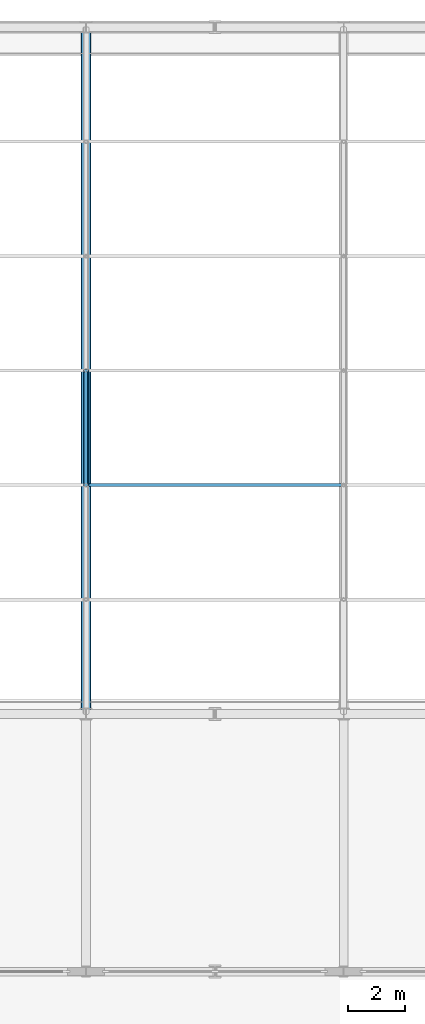
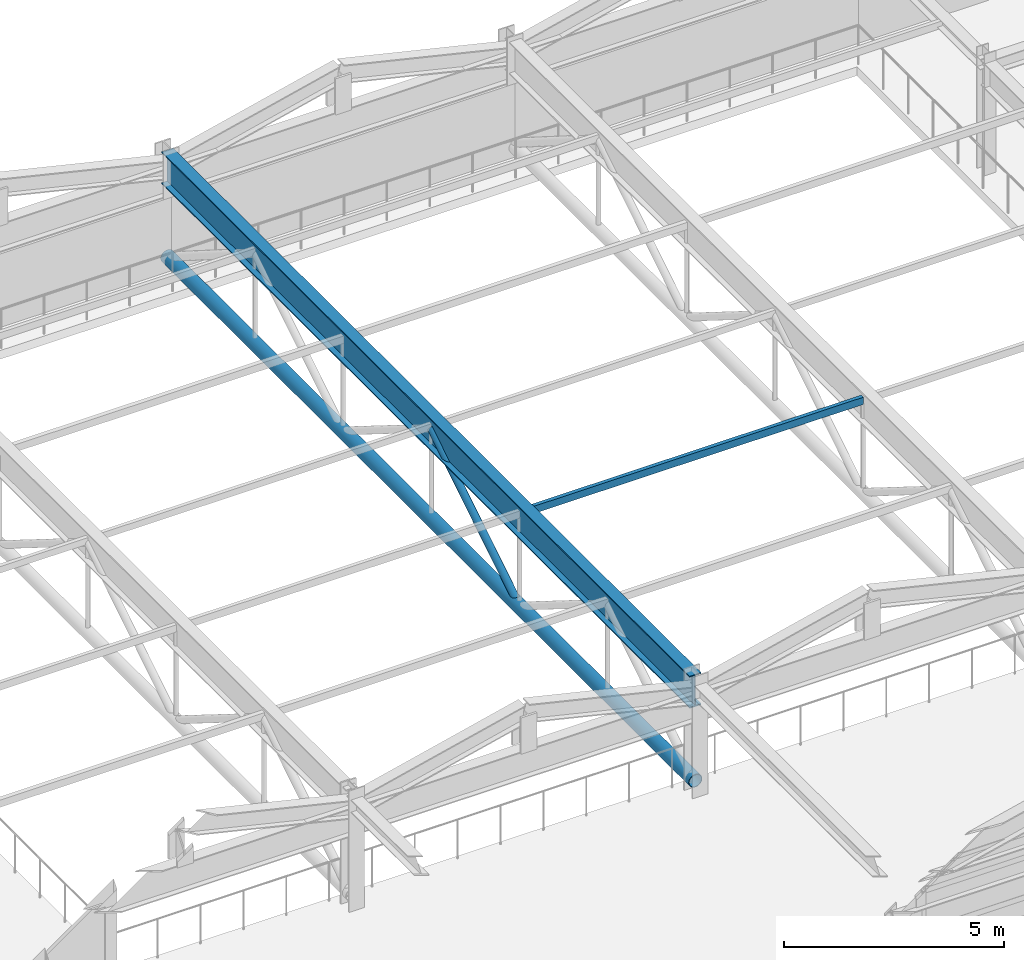
# One storey, part 33 of 91: 3 members, 1 beam.
"""IFC4 building model written with IfcOpenShell, lengths in metres."""

import ifcopenshell
import ifcopenshell.guid

model = None  # the IFC model being written
_history = None  # IfcOwnerHistory: only IFC2X3 demands one
_inside = {}  # id of a spatial element -> (the spatial element, [elements in it])
_under = {}  # id of a project, library or spatial element -> (it, [spatial elements below it])
_declared = {}  # id of a project -> (the project, [libraries it declares])
_typed = {}  # id of a type object -> (the type object, [elements of that type])
_made_of = {}  # id of a material, layer set ... -> (it, [elements and type objects made of it])


def new_model(schema):
    """Start an empty IFC model of exactly this schema.

    Asked for "IFC4X3", IfcOpenShell would pick the latest addendum, in which some entities
    have other attributes; the version numbers below select the first issue.
    IFC2X3 requires an IfcOwnerHistory on every rooted entity: one is made here for all.
    """
    global model, _history
    if schema == "IFC4X3":
        model = ifcopenshell.file(schema_version=(4, 3, 0, 0))
    else:
        model = ifcopenshell.file(schema=schema)
    _inside.clear()
    _under.clear()
    _declared.clear()
    _typed.clear()
    _made_of.clear()
    _history = None
    if model.schema == "IFC2X3":
        org = make("IfcOrganization", Name="unknown")
        user = make(
            "IfcPersonAndOrganization",
            ThePerson=make("IfcPerson", FamilyName="unknown"),
            TheOrganization=org,
        )
        app = make(
            "IfcApplication",
            ApplicationDeveloper=org,
            Version="unknown",
            ApplicationFullName="unknown",
            ApplicationIdentifier="unknown",
        )
        _history = make(
            "IfcOwnerHistory",
            OwningUser=user,
            OwningApplication=app,
            ChangeAction="ADDED",
            CreationDate=0,
        )
    return model


def make(cls, **values):
    """One entity of the class cls with the attributes given. An attribute that is None is left unset."""
    return model.create_entity(
        cls, **{name: value for name, value in values.items() if value is not None}
    )


def rooted(cls, **values):
    """An entity with a GlobalId (a new one), such as an element, a storey or a relation."""
    return make(cls, GlobalId=ifcopenshell.guid.new(), OwnerHistory=_history, **values)


def si_unit(unit_type, name, prefix=None):
    """IfcSIUnit, for example si_unit("LENGTHUNIT", "METRE", prefix="MILLI")."""
    return make("IfcSIUnit", UnitType=unit_type, Prefix=prefix, Name=name)


def assignment(units):
    """IfcUnitAssignment: the units of a project."""
    return None if units is None else make("IfcUnitAssignment", Units=units)


def point(xyz):
    """IfcCartesianPoint."""
    return None if xyz is None else make("IfcCartesianPoint", Coordinates=xyz)


def direction(xyz):
    """IfcDirection."""
    return None if xyz is None else make("IfcDirection", DirectionRatios=xyz)


def frame(location, z_axis=None, x_axis=None):
    """IfcAxis2Placement3D, a coordinate frame: its origin and axes. An axis left out is left unset."""
    return make(
        "IfcAxis2Placement3D",
        Location=point(location),
        Axis=direction(z_axis),
        RefDirection=direction(x_axis),
    )


def frame_2d(location, x_axis=None):
    """IfcAxis2Placement2D, a coordinate frame in the plane: its origin and x axis."""
    return make(
        "IfcAxis2Placement2D", Location=point(location), RefDirection=direction(x_axis)
    )


def origin():
    """The frame at (0, 0, 0) with its axes left unset."""
    return frame((0.0, 0.0, 0.0))


def origin_2d():
    """The frame at (0, 0) in the plane with its x axis left unset."""
    return frame_2d((0.0, 0.0))


def place(relative_to, where):
    """IfcLocalPlacement: puts the frame where relative to a parent placement (None: the world)."""
    return make(
        "IfcLocalPlacement", PlacementRelTo=relative_to, RelativePlacement=where
    )


def context(
    kind, dimensions, precision=None, world=None, true_north=None, identifier=None
):
    """IfcGeometricRepresentationContext, for example the 3D "Model" context."""
    return make(
        "IfcGeometricRepresentationContext",
        ContextIdentifier=identifier,
        ContextType=kind,
        CoordinateSpaceDimension=dimensions,
        Precision=precision,
        WorldCoordinateSystem=world,
        TrueNorth=true_north,
    )


def subcontext(parent, identifier, kind, view, scale=None):
    """IfcGeometricRepresentationSubContext, for example "Body" below "Model"."""
    return make(
        "IfcGeometricRepresentationSubContext",
        ContextIdentifier=identifier,
        ContextType=kind,
        ParentContext=parent,
        TargetScale=scale,
        TargetView=view,
    )


def project(units=None, contexts=None):
    """IfcProject with its units and contexts."""
    return rooted(
        "IfcProject",
        Name="project",
        RepresentationContexts=contexts,
        UnitsInContext=assignment(units),
    )


def spatial(cls, under=None, at=None, **own):
    """A site, building, storey or space (cls), placed at a placement, below another one or the project."""
    s = rooted(cls, ObjectPlacement=at, **own)
    if under is not None:
        _under.setdefault(under.id(), (under, []))[1].append(s)
    return s


def profile(cls, at=None, kind="AREA", **sizes):
    """A parametric profile (cls). Its sizes go by their IFC names, for example OverallWidth=200.0."""
    return make(cls, ProfileType=kind, Position=at, **sizes)


def hollow_rectangle(**sizes):
    """IfcRectangleHollowProfileDef."""
    return profile("IfcRectangleHollowProfileDef", **sizes)


def hollow_circle(**sizes):
    """IfcCircleHollowProfileDef."""
    return profile("IfcCircleHollowProfileDef", **sizes)


def i_section(**sizes):
    """IfcIShapeProfileDef."""
    return profile("IfcIShapeProfileDef", **sizes)


def extrude(swept, where, along, depth):
    """IfcExtrudedAreaSolid: the profile swept, set in the frame where, extruded along a direction by depth."""
    return make(
        "IfcExtrudedAreaSolid",
        SweptArea=swept,
        Position=where,
        ExtrudedDirection=direction(along),
        Depth=depth,
    )


def shape(context_of_items, identifier, shape_type, items):
    """IfcShapeRepresentation: the items that make up one representation, for example the "Body"."""
    return make(
        "IfcShapeRepresentation",
        ContextOfItems=context_of_items,
        RepresentationIdentifier=identifier,
        RepresentationType=shape_type,
        Items=items,
    )


def material(Name=None, Category=None):
    """IfcMaterial."""
    return make("IfcMaterial", Name=Name, Category=Category)


def material_profile(
    of_material, cross_section, Name=None, Category=None, Priority=None
):
    """IfcMaterialProfile: a cross section and its material."""
    return make(
        "IfcMaterialProfile",
        Name=Name,
        Material=of_material,
        Profile=cross_section,
        Priority=Priority,
        Category=Category,
    )


def profile_set(profiles, Name=None, composite=None):
    """IfcMaterialProfileSet."""
    return make(
        "IfcMaterialProfileSet",
        Name=Name,
        MaterialProfiles=profiles,
        CompositeProfile=composite,
    )


def made_of(thing, what):
    """Note that an element or type object is made of a material, layer set ...; save() writes the relation."""
    if what is not None:
        _made_of.setdefault(what.id(), (what, []))[1].append(thing)
    return thing


def type_object(cls, material=None, **own):
    """A type object (cls), such as IfcWallType, which elements share."""
    return made_of(rooted(cls, **own), material)


def element(
    cls,
    number,
    at=None,
    inside=None,
    cuts=None,
    type_object=None,
    material=None,
    context=None,
    identifier="Body",
    shape_type=None,
    held_by="IfcProductDefinitionShape",
    body=None,
    shapes=None,
    **own,
):
    """One element of the class cls, such as IfcWall. Its Tag is "e" and its number.

    at: its placement. inside: the storey or other place that contains it. cuts: it is an
    opening in that element (IfcRelVoidsElement). A single representation is given by context,
    identifier, shape_type and body (its items); several are given by shapes. held_by: the class
    of the entity that holds the representations. save() writes the other relations.
    """
    e = rooted(cls, Tag="e%d" % number, ObjectPlacement=at, **own)
    if body is not None:
        shapes = [shape(context, identifier, shape_type, body)]
    if shapes is not None:
        e.Representation = make(held_by, Representations=shapes)
    if inside is not None:
        _inside.setdefault(inside.id(), (inside, []))[1].append(e)
    if cuts is not None:
        rooted(
            "IfcRelVoidsElement", RelatingBuildingElement=cuts, RelatedOpeningElement=e
        )
    if type_object is not None:
        _typed.setdefault(type_object.id(), (type_object, []))[1].append(e)
    return made_of(e, material)


def aggregate(whole, parts):
    """IfcRelAggregates: a whole, such as a stair, and the parts it consists of."""
    return rooted("IfcRelAggregates", RelatingObject=whole, RelatedObjects=parts)


def save(model, path):
    """Write the relations noted so far, then the file.

    IfcRelAggregates (storeys below a building ...), IfcRelContainedInSpatialStructure (elements
    in a storey), IfcRelDefinesByType, IfcRelAssociatesMaterial and IfcRelDeclares: one each for
    every whole, place, type object, material and project.
    """
    for whole, parts in _under.values():
        aggregate(whole, parts)
    for where, things in _inside.values():
        rooted(
            "IfcRelContainedInSpatialStructure",
            RelatedElements=things,
            RelatingStructure=where,
        )
    for kind, things in _typed.values():
        rooted("IfcRelDefinesByType", RelatedObjects=things, RelatingType=kind)
    for what, things in _made_of.values():
        rooted("IfcRelAssociatesMaterial", RelatedObjects=things, RelatingMaterial=what)
    for by, libraries in _declared.values():
        rooted("IfcRelDeclares", RelatingContext=by, RelatedDefinitions=libraries)
    model.write(path)


model = new_model("IFC4")

# Units and contexts
model_context = context("Model", 3, precision=1e-05, world=origin(), true_north=direction((0.0, 1.0)))
body_context = subcontext(model_context, "Body", "Model", "MODEL_VIEW")
ifc_project = project(units=[si_unit("LENGTHUNIT", "METRE"), si_unit("AREAUNIT", "SQUARE_METRE"), si_unit("VOLUMEUNIT", "CUBIC_METRE"), si_unit("PLANEANGLEUNIT", "RADIAN"), si_unit("MASSUNIT", "GRAM", prefix="KILO")], contexts=[model_context])

# Site, building, storey
site_placement = place(None, origin())
site = spatial("IfcSite", under=ifc_project, at=site_placement, CompositionType="ELEMENT")
building_placement = place(site_placement, origin())
building = spatial("IfcBuilding", under=site, at=building_placement, Name="Palais des Congres Ocreval", CompositionType="ELEMENT")
storey_placement = place(building_placement, frame((0.0, 0.0, 8.159912109375)))
storey = spatial("IfcBuildingStorey", under=building, at=storey_placement, Name="L02", CompositionType="ELEMENT", Elevation=8.159912109375)

# Member
ifc_material = material(Name="Steel S355", Category="steel")
ifc_material_profile_1 = material_profile(ifc_material, hollow_circle(Radius=0.096923828125, WallThickness=0.010009765625, at=origin_2d()), Name="CHS 193.7x10")
ifc_profile_set_1 = profile_set([ifc_material_profile_1], Name="Steel S355")
member_type_1 = type_object("IfcMemberType", Name="Diagonal Brace CHS 193.7x10 Steel S355", PredefinedType="BRACE", material=ifc_profile_set_1)
member_1_placement = place(storey_placement, frame((27.0, 98.0, 0.2900390625), z_axis=(0.0, 0.847998304005, 0.529998940003), x_axis=(-1.0, 0.0, 0.0)))
element("IfcMember", 1, at=member_1_placement, inside=storey, type_object=member_type_1, Name="ROOF TRUSS Diagonal V1-27-3", PredefinedType="BRACE", context=body_context, shape_type="SweptSolid", body=[
    extrude(hollow_circle(Radius=0.096923828125, WallThickness=0.010009765625, at=origin_2d()), origin(), (0.0, 0.0, 1.0), 4.717041015625),
])

# Beam
ifc_material_profile_2 = material_profile(ifc_material, i_section(OverallWidth=0.300048828125, OverallDepth=0.889892578125, WebThickness=0.01611328125, FlangeThickness=0.030029296875, at=origin_2d()), Name="HEA 900")
ifc_profile_set_2 = profile_set([ifc_material_profile_2], Name="Steel S355")
beam_type = type_object("IfcBeamType", Name="Long-Span Girder HEA 900 Steel S355", PredefinedType="BEAM", material=ifc_profile_set_2)
beam_placement = place(storey_placement, frame((27.0, 90.02001953125, 2.7900390625), z_axis=(0.0, 1.0, 0.0), x_axis=(-1.0, 0.0, 0.0)))
element("IfcBeam", 2, at=beam_placement, inside=storey, type_object=beam_type, Name="ROOF TRUSS Top Collector Girder V1-27", PredefinedType="BEAM", context=body_context, shape_type="SweptSolid", body=[
    extrude(i_section(OverallWidth=0.300048828125, OverallDepth=0.889892578125, WebThickness=0.01611328125, FlangeThickness=0.030029296875, at=origin_2d()), origin(), (0.0, 0.0, 1.0), 23.9599609375),
])

# Members
ifc_material_profile_3 = material_profile(ifc_material, hollow_circle(Radius=0.177734375, WallThickness=0.01611328125, at=origin_2d()), Name="CHS 355.6x16")
ifc_profile_set_3 = profile_set([ifc_material_profile_3], Name="Steel S355")
member_type_2 = type_object("IfcMemberType", Name="ROOF TRUSS Chord CHS 355.6x16 Steel S355", PredefinedType="CHORD", material=ifc_profile_set_3)
member_2_placement = place(storey_placement, frame((27.0, 90.02001953125, 0.2900390625), z_axis=(0.0, 1.0, 0.0), x_axis=(-1.0, 0.0, 0.0)))
element("IfcMember", 3, at=member_2_placement, inside=storey, type_object=member_type_2, Name="ROOF TRUSS Bottom Chord V1-27", PredefinedType="CHORD", context=body_context, shape_type="SweptSolid", body=[
    extrude(hollow_circle(Radius=0.177734375, WallThickness=0.01611328125, at=origin_2d()), origin(), (0.0, 0.0, 1.0), 23.9599609375),
])
ifc_material_profile_4 = material_profile(ifc_material, hollow_rectangle(XDim=0.10009765625, YDim=0.199951171875, WallThickness=0.010009765625, at=origin_2d()), Name="RHS 200x100x10")
ifc_profile_set_4 = profile_set([ifc_material_profile_4], Name="Steel S355")
member_type_3 = type_object("IfcMemberType", Name="Roof Purlin RHS 200x100x10 Steel S355", PredefinedType="PURLIN", material=ifc_profile_set_4)
member_3_placement = place(storey_placement, frame((27.02001953125, 98.0, 2.860107421875), z_axis=(1.0, 0.0, 0.0), x_axis=(0.0, 1.0, 0.0)))
element("IfcMember", 4, at=member_3_placement, inside=storey, type_object=member_type_3, Name="Roof Purlin PU02 V1", PredefinedType="PURLIN", context=body_context, shape_type="SweptSolid", body=[
    extrude(hollow_rectangle(XDim=0.10009765625, YDim=0.199951171875, WallThickness=0.010009765625, at=origin_2d()), origin(), (0.0, 0.0, 1.0), 8.9599609375),
])

save(model, "model.ifc")
